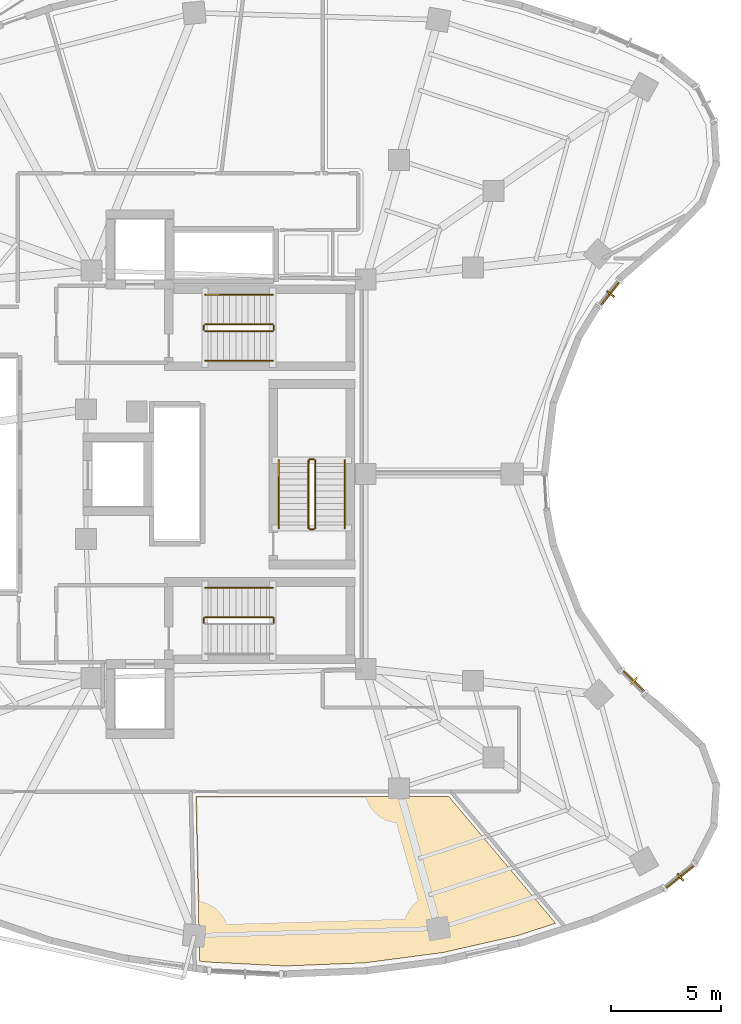
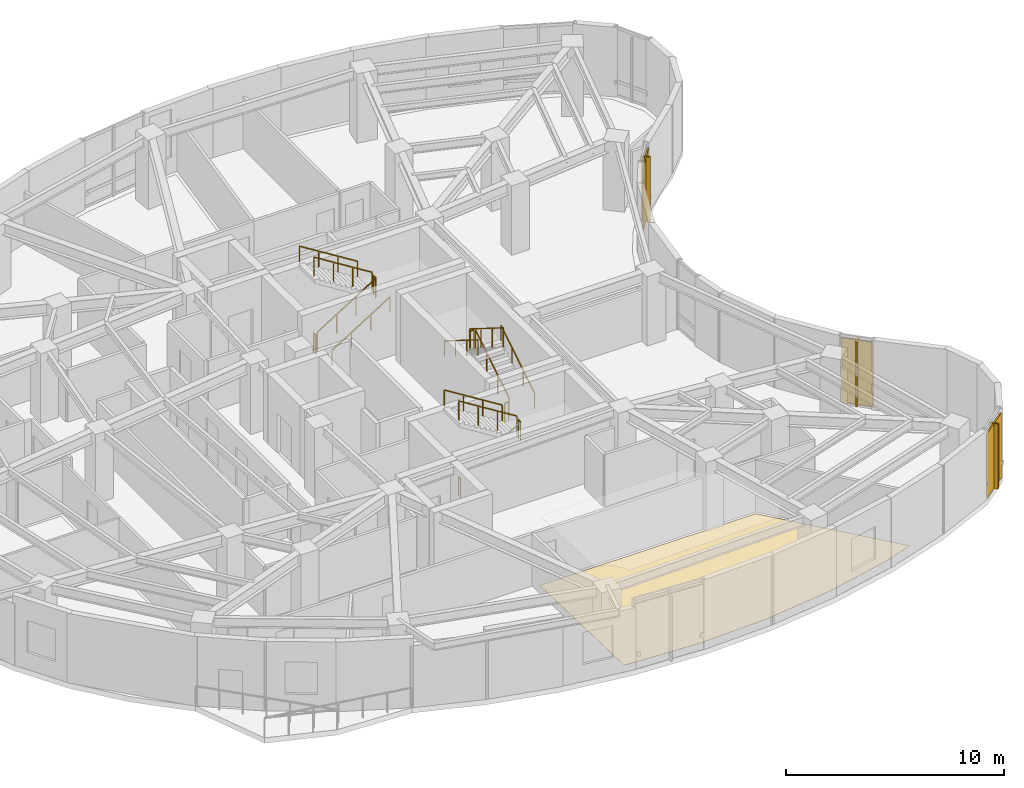
# One storey, part 14 of 15: 16 railings, 6 shading devices, 1 covering.
"""IFC4 building model written with IfcOpenShell, lengths in metres."""

from ifc_helpers import new_model, si_unit, direction, frame, origin, origin_2d, place, context, subcontext, project, spatial, polyline, rectangle, outline, extrude, material, layer, layer_set, type_object, element, save


model = new_model("IFC4")

# Units and contexts
model_context = context("Model", 3, precision=1e-05, world=origin(), true_north=direction((0.0, 1.0)))
body_context = subcontext(model_context, "Body", "Model", "MODEL_VIEW")
ifc_project = project(units=[si_unit("LENGTHUNIT", "METRE"), si_unit("AREAUNIT", "SQUARE_METRE"), si_unit("VOLUMEUNIT", "CUBIC_METRE"), si_unit("PLANEANGLEUNIT", "RADIAN"), si_unit("MASSUNIT", "GRAM", prefix="KILO")], contexts=[model_context])

# Site, building, storey
site_placement = place(None, origin())
site = spatial("IfcSite", under=ifc_project, at=site_placement, CompositionType="ELEMENT")
building_placement = place(site_placement, origin())
building = spatial("IfcBuilding", under=site, at=building_placement, Name="Korentha Bioscience Tower", CompositionType="ELEMENT")
storey_placement = place(building_placement, frame((0.0, 0.0, 222.60009765625)))
storey = spatial("IfcBuildingStorey", under=building, at=storey_placement, Name="L51", CompositionType="ELEMENT", Elevation=222.60009765625)

# Railings
ifc_material_1 = material(Name="Stainless Steel 304", Category="steel")
railing_type_1 = type_object("IfcRailingType", Name="Brushed Stainless Stair Handrail 900", PredefinedType="HANDRAIL", material=ifc_material_1)
railing_1_placement = place(storey_placement, frame((30.25, 32.14990234375, 0.1748046875)))
element("IfcRailing", 1, at=railing_1_placement, inside=storey, type_object=railing_type_1, Name="L51 ST-1 stair handrail 1", PredefinedType="HANDRAIL", context=body_context, shape_type="SweptSolid", body=[
    extrude(rectangle(XDim=0.048095703125, YDim=0.048095703125, at=origin_2d()), frame((0.0, 0.0, 0.8759765625), z_axis=(0.847998304005, 0.0, 0.529998940003), x_axis=(0.0, 1.0, 0.0)), (0.0, 0.0, 1.0), 3.632080078125),
    extrude(rectangle(XDim=0.0419921875, YDim=0.0419921875, at=origin_2d()), origin(), (0.0, 0.0, 1.0), 0.851806640625),
    extrude(rectangle(XDim=0.0419921875, YDim=0.0419921875, at=origin_2d()), frame((1.026611328125, 0.0, 0.6416015625)), (0.0, 0.0, 1.0), 0.851806640625),
    extrude(rectangle(XDim=0.0419921875, YDim=0.0419921875, at=origin_2d()), frame((2.053466796875, 0.0, 1.283447265625)), (0.0, 0.0, 1.0), 0.851806640625),
    extrude(rectangle(XDim=0.0419921875, YDim=0.0419921875, at=origin_2d()), frame((3.080078125, 0.0, 1.925048828125)), (0.0, 0.0, 1.0), 0.851806640625),
])
for number, where, name in (
    (2, (33.330078125, 35.14990234375, 2.27490234375), "L51 ST-1 stair handrail 2"),
    (3, (33.330078125, 21.85009765625, 2.27490234375), "L51 ST-2 stair handrail 2"),
):
    element("IfcRailing", number, at=place(storey_placement, frame(where)), inside=storey, type_object=railing_type_1, Name=name, PredefinedType="HANDRAIL", context=body_context, shape_type="SweptSolid", body=[
        extrude(rectangle(XDim=0.048095703125, YDim=0.048095703125, at=origin_2d()), frame((0.0, 0.0, 0.8759765625), z_axis=(-0.847998304005, 0.0, 0.529998940003), x_axis=(0.0, -1.0, 0.0)), (0.0, 0.0, 1.0), 3.632080078125),
        extrude(rectangle(XDim=0.0419921875, YDim=0.0419921875, at=origin_2d()), origin(), (0.0, 0.0, 1.0), 0.851806640625),
        extrude(rectangle(XDim=0.0419921875, YDim=0.0419921875, at=origin_2d()), frame((-1.026611328125, 0.0, 0.6416015625)), (0.0, 0.0, 1.0), 0.851806640625),
        extrude(rectangle(XDim=0.0419921875, YDim=0.0419921875, at=origin_2d()), frame((-2.053466796875, 0.0, 1.283447265625)), (0.0, 0.0, 1.0), 0.851806640625),
        extrude(rectangle(XDim=0.0419921875, YDim=0.0419921875, at=origin_2d()), frame((-3.080078125, 0.0, 1.925048828125)), (0.0, 0.0, 1.0), 0.851806640625),
    ])
railing_2_placement = place(storey_placement, frame((36.60009765625, 24.550048828125, 0.1748046875)))
element("IfcRailing", 4, at=railing_2_placement, inside=storey, type_object=railing_type_1, Name="L51 ST-3 stair handrail 1", PredefinedType="HANDRAIL", context=body_context, shape_type="SweptSolid", body=[
    extrude(rectangle(XDim=0.048095703125, YDim=0.048095703125, at=origin_2d()), frame((0.0, 0.0, 0.8759765625), z_axis=(0.0, 0.847979421464, 0.530029150871), x_axis=(-1.0, 0.0, 0.0)), (0.0, 0.0, 1.0), 3.632080078125),
    extrude(rectangle(XDim=0.0419921875, YDim=0.0419921875, at=origin_2d()), origin(), (0.0, 0.0, 1.0), 0.851806640625),
    extrude(rectangle(XDim=0.0419921875, YDim=0.0419921875, at=origin_2d()), frame((0.0, 1.026611328125, 0.6416015625)), (0.0, 0.0, 1.0), 0.851806640625),
    extrude(rectangle(XDim=0.0419921875, YDim=0.0419921875, at=origin_2d()), frame((0.0, 2.05322265625, 1.283447265625)), (0.0, 0.0, 1.0), 0.851806640625),
    extrude(rectangle(XDim=0.0419921875, YDim=0.0419921875, at=origin_2d()), frame((0.0, 3.079833984375, 1.925048828125)), (0.0, 0.0, 1.0), 0.851806640625),
])
railing_3_placement = place(storey_placement, frame((33.60009765625, 27.6298828125, 2.27490234375)))
element("IfcRailing", 5, at=railing_3_placement, inside=storey, type_object=railing_type_1, Name="L51 ST-3 stair handrail 2", PredefinedType="HANDRAIL", context=body_context, shape_type="SweptSolid", body=[
    extrude(rectangle(XDim=0.048095703125, YDim=0.048095703125, at=origin_2d()), frame((0.0, 0.0, 0.8759765625), z_axis=(0.0, -0.847979421464, 0.530029150871), x_axis=(1.0, 0.0, 0.0)), (0.0, 0.0, 1.0), 3.632080078125),
    extrude(rectangle(XDim=0.0419921875, YDim=0.0419921875, at=origin_2d()), origin(), (0.0, 0.0, 1.0), 0.851806640625),
    extrude(rectangle(XDim=0.0419921875, YDim=0.0419921875, at=origin_2d()), frame((0.0, -1.026611328125, 0.6416015625)), (0.0, 0.0, 1.0), 0.851806640625),
    extrude(rectangle(XDim=0.0419921875, YDim=0.0419921875, at=origin_2d()), frame((0.0, -2.05322265625, 1.283447265625)), (0.0, 0.0, 1.0), 0.851806640625),
    extrude(rectangle(XDim=0.0419921875, YDim=0.0419921875, at=origin_2d()), frame((0.0, -3.079833984375, 1.925048828125)), (0.0, 0.0, 1.0), 0.851806640625),
])
ifc_material_2 = material(Name="Painted Steel S275", Category="steel")
railing_type_2 = type_object("IfcRailingType", Name="Painted Steel Stair Well Guardrail 1100", PredefinedType="GUARDRAIL", material=ifc_material_2)
railing_4_placement = place(storey_placement, frame((30.25, 33.5, 0.1748046875)))
element("IfcRailing", 6, at=railing_4_placement, inside=storey, type_object=railing_type_2, Name="L51 ST-1 stair guard 1", PredefinedType="GUARDRAIL", context=body_context, shape_type="SweptSolid", body=[
    extrude(rectangle(XDim=0.048095703125, YDim=0.048095703125, at=origin_2d()), frame((0.0, 0.0, 1.076171875), z_axis=(0.847998304005, 0.0, 0.529998940003), x_axis=(0.0, 1.0, 0.0)), (0.0, 0.0, 1.0), 3.632080078125),
    extrude(rectangle(XDim=0.0419921875, YDim=0.0419921875, at=origin_2d()), origin(), (0.0, 0.0, 1.0), 1.052001953125),
    extrude(rectangle(XDim=0.0419921875, YDim=0.0419921875, at=origin_2d()), frame((1.026611328125, 0.0, 0.6416015625)), (0.0, 0.0, 1.0), 1.052001953125),
    extrude(rectangle(XDim=0.0419921875, YDim=0.0419921875, at=origin_2d()), frame((2.053466796875, 0.0, 1.283447265625)), (0.0, 0.0, 1.0), 1.052001953125),
    extrude(rectangle(XDim=0.0419921875, YDim=0.0419921875, at=origin_2d()), frame((3.080078125, 0.0, 1.925048828125)), (0.0, 0.0, 1.0), 1.052001953125),
])
railing_5_placement = place(storey_placement, frame((33.3798828125, 33.550048828125, 2.099853515625)))
element("IfcRailing", 7, at=railing_5_placement, inside=storey, type_object=railing_type_2, Name="L51 ST-1 stair guard 2", PredefinedType="GUARDRAIL", context=body_context, shape_type="SweptSolid", body=[
    extrude(rectangle(XDim=0.048095703125, YDim=0.048095703125, at=origin_2d()), frame((0.0, 0.0, 1.076171875), z_axis=(0.0, 1.0, 0.0), x_axis=(-1.0, 0.0, 0.0)), (0.0, 0.0, 1.0), 0.199951171875),
    extrude(rectangle(XDim=0.0419921875, YDim=0.0419921875, at=origin_2d()), origin(), (0.0, 0.0, 1.0), 1.052001953125),
    extrude(rectangle(XDim=0.0419921875, YDim=0.0419921875, at=origin_2d()), frame((0.0, 0.199951171875, 0.0)), (0.0, 0.0, 1.0), 1.052001953125),
])
railing_6_placement = place(storey_placement, frame((33.330078125, 33.800048828125, 2.27490234375)))
element("IfcRailing", 8, at=railing_6_placement, inside=storey, type_object=railing_type_2, Name="L51 ST-1 stair guard 3", PredefinedType="GUARDRAIL", context=body_context, shape_type="SweptSolid", body=[
    extrude(rectangle(XDim=0.048095703125, YDim=0.048095703125, at=origin_2d()), frame((0.0, 0.0, 1.076171875), z_axis=(-0.847998304005, 0.0, 0.529998940003), x_axis=(0.0, -1.0, 0.0)), (0.0, 0.0, 1.0), 3.632080078125),
    extrude(rectangle(XDim=0.0419921875, YDim=0.0419921875, at=origin_2d()), origin(), (0.0, 0.0, 1.0), 1.052001953125),
    extrude(rectangle(XDim=0.0419921875, YDim=0.0419921875, at=origin_2d()), frame((-1.026611328125, 0.0, 0.6416015625)), (0.0, 0.0, 1.0), 1.052001953125),
    extrude(rectangle(XDim=0.0419921875, YDim=0.0419921875, at=origin_2d()), frame((-2.053466796875, 0.0, 1.283447265625)), (0.0, 0.0, 1.0), 1.052001953125),
    extrude(rectangle(XDim=0.0419921875, YDim=0.0419921875, at=origin_2d()), frame((-3.080078125, 0.0, 1.925048828125)), (0.0, 0.0, 1.0), 1.052001953125),
])
for number, where, name in (
    (9, (30.199951171875, 33.550048828125, 0.0), "L51 ST-1 stair guard 4"),
    (10, (33.3798828125, 20.25, 2.099853515625), "L51 ST-2 stair guard 2"),
):
    element("IfcRailing", number, at=place(storey_placement, frame(where)), inside=storey, type_object=railing_type_2, Name=name, PredefinedType="GUARDRAIL", context=body_context, shape_type="SweptSolid", body=[
        extrude(rectangle(XDim=0.048095703125, YDim=0.048095703125, at=origin_2d()), frame((0.0, 0.0, 1.076171875), z_axis=(0.0, 1.0, 0.0), x_axis=(-1.0, 0.0, 0.0)), (0.0, 0.0, 1.0), 0.199951171875),
        extrude(rectangle(XDim=0.0419921875, YDim=0.0419921875, at=origin_2d()), origin(), (0.0, 0.0, 1.0), 1.052001953125),
        extrude(rectangle(XDim=0.0419921875, YDim=0.0419921875, at=origin_2d()), frame((0.0, 0.199951171875, 0.0)), (0.0, 0.0, 1.0), 1.052001953125),
    ])
railing_7_placement = place(storey_placement, frame((33.330078125, 20.5, 2.27490234375)))
element("IfcRailing", 11, at=railing_7_placement, inside=storey, type_object=railing_type_2, Name="L51 ST-2 stair guard 3", PredefinedType="GUARDRAIL", context=body_context, shape_type="SweptSolid", body=[
    extrude(rectangle(XDim=0.048095703125, YDim=0.048095703125, at=origin_2d()), frame((0.0, 0.0, 1.076171875), z_axis=(-0.847998304005, 0.0, 0.529998940003), x_axis=(0.0, -1.0, 0.0)), (0.0, 0.0, 1.0), 3.632080078125),
    extrude(rectangle(XDim=0.0419921875, YDim=0.0419921875, at=origin_2d()), origin(), (0.0, 0.0, 1.0), 1.052001953125),
    extrude(rectangle(XDim=0.0419921875, YDim=0.0419921875, at=origin_2d()), frame((-1.026611328125, 0.0, 0.6416015625)), (0.0, 0.0, 1.0), 1.052001953125),
    extrude(rectangle(XDim=0.0419921875, YDim=0.0419921875, at=origin_2d()), frame((-2.053466796875, 0.0, 1.283447265625)), (0.0, 0.0, 1.0), 1.052001953125),
    extrude(rectangle(XDim=0.0419921875, YDim=0.0419921875, at=origin_2d()), frame((-3.080078125, 0.0, 1.925048828125)), (0.0, 0.0, 1.0), 1.052001953125),
])
railing_8_placement = place(storey_placement, frame((30.199951171875, 20.25, 0.0)))
element("IfcRailing", 12, at=railing_8_placement, inside=storey, type_object=railing_type_2, Name="L51 ST-2 stair guard 4", PredefinedType="GUARDRAIL", context=body_context, shape_type="SweptSolid", body=[
    extrude(rectangle(XDim=0.048095703125, YDim=0.048095703125, at=origin_2d()), frame((0.0, 0.0, 1.076171875), z_axis=(0.0, 1.0, 0.0), x_axis=(-1.0, 0.0, 0.0)), (0.0, 0.0, 1.0), 0.199951171875),
    extrude(rectangle(XDim=0.0419921875, YDim=0.0419921875, at=origin_2d()), origin(), (0.0, 0.0, 1.0), 1.052001953125),
    extrude(rectangle(XDim=0.0419921875, YDim=0.0419921875, at=origin_2d()), frame((0.0, 0.199951171875, 0.0)), (0.0, 0.0, 1.0), 1.052001953125),
])
railing_9_placement = place(storey_placement, frame((35.25, 24.550048828125, 0.1748046875)))
element("IfcRailing", 13, at=railing_9_placement, inside=storey, type_object=railing_type_2, Name="L51 ST-3 stair guard 1", PredefinedType="GUARDRAIL", context=body_context, shape_type="SweptSolid", body=[
    extrude(rectangle(XDim=0.048095703125, YDim=0.048095703125, at=origin_2d()), frame((0.0, 0.0, 1.076171875), z_axis=(0.0, 0.847979421464, 0.530029150871), x_axis=(-1.0, 0.0, 0.0)), (0.0, 0.0, 1.0), 3.632080078125),
    extrude(rectangle(XDim=0.0419921875, YDim=0.0419921875, at=origin_2d()), origin(), (0.0, 0.0, 1.0), 1.052001953125),
    extrude(rectangle(XDim=0.0419921875, YDim=0.0419921875, at=origin_2d()), frame((0.0, 1.026611328125, 0.6416015625)), (0.0, 0.0, 1.0), 1.052001953125),
    extrude(rectangle(XDim=0.0419921875, YDim=0.0419921875, at=origin_2d()), frame((0.0, 2.05322265625, 1.283447265625)), (0.0, 0.0, 1.0), 1.052001953125),
    extrude(rectangle(XDim=0.0419921875, YDim=0.0419921875, at=origin_2d()), frame((0.0, 3.079833984375, 1.925048828125)), (0.0, 0.0, 1.0), 1.052001953125),
])
railing_10_placement = place(storey_placement, frame((35.199951171875, 27.679931640625, 2.099853515625)))
element("IfcRailing", 14, at=railing_10_placement, inside=storey, type_object=railing_type_2, Name="L51 ST-3 stair guard 2", PredefinedType="GUARDRAIL", context=body_context, shape_type="SweptSolid", body=[
    extrude(rectangle(XDim=0.048095703125, YDim=0.048095703125, at=origin_2d()), frame((0.0, 0.0, 1.076171875), z_axis=(-1.0, 0.0, 0.0), x_axis=(0.0, -1.0, 0.0)), (0.0, 0.0, 1.0), 0.199951171875),
    extrude(rectangle(XDim=0.0419921875, YDim=0.0419921875, at=origin_2d()), origin(), (0.0, 0.0, 1.0), 1.052001953125),
    extrude(rectangle(XDim=0.0419921875, YDim=0.0419921875, at=origin_2d()), frame((-0.199951171875, 0.0, 0.0)), (0.0, 0.0, 1.0), 1.052001953125),
])
railing_11_placement = place(storey_placement, frame((34.949951171875, 27.6298828125, 2.27490234375)))
element("IfcRailing", 15, at=railing_11_placement, inside=storey, type_object=railing_type_2, Name="L51 ST-3 stair guard 3", PredefinedType="GUARDRAIL", context=body_context, shape_type="SweptSolid", body=[
    extrude(rectangle(XDim=0.048095703125, YDim=0.048095703125, at=origin_2d()), frame((0.0, 0.0, 1.076171875), z_axis=(0.0, -0.847979421464, 0.530029150871), x_axis=(1.0, 0.0, 0.0)), (0.0, 0.0, 1.0), 3.632080078125),
    extrude(rectangle(XDim=0.0419921875, YDim=0.0419921875, at=origin_2d()), origin(), (0.0, 0.0, 1.0), 1.052001953125),
    extrude(rectangle(XDim=0.0419921875, YDim=0.0419921875, at=origin_2d()), frame((0.0, -1.026611328125, 0.6416015625)), (0.0, 0.0, 1.0), 1.052001953125),
    extrude(rectangle(XDim=0.0419921875, YDim=0.0419921875, at=origin_2d()), frame((0.0, -2.05322265625, 1.283447265625)), (0.0, 0.0, 1.0), 1.052001953125),
    extrude(rectangle(XDim=0.0419921875, YDim=0.0419921875, at=origin_2d()), frame((0.0, -3.079833984375, 1.925048828125)), (0.0, 0.0, 1.0), 1.052001953125),
])
railing_12_placement = place(storey_placement, frame((35.199951171875, 24.5, 0.0)))
element("IfcRailing", 16, at=railing_12_placement, inside=storey, type_object=railing_type_2, Name="L51 ST-3 stair guard 4", PredefinedType="GUARDRAIL", context=body_context, shape_type="SweptSolid", body=[
    extrude(rectangle(XDim=0.048095703125, YDim=0.048095703125, at=origin_2d()), frame((0.0, 0.0, 1.076171875), z_axis=(-1.0, 0.0, 0.0), x_axis=(0.0, -1.0, 0.0)), (0.0, 0.0, 1.0), 0.199951171875),
    extrude(rectangle(XDim=0.0419921875, YDim=0.0419921875, at=origin_2d()), origin(), (0.0, 0.0, 1.0), 1.052001953125),
    extrude(rectangle(XDim=0.0419921875, YDim=0.0419921875, at=origin_2d()), frame((-0.199951171875, 0.0, 0.0)), (0.0, 0.0, 1.0), 1.052001953125),
])

# Shading devices
ifc_material_3 = material(Name="Perforated Stone-Ceramic Composite", Category="masonry")
ifc_layer_1 = layer(ifc_material_3, 0.06494140625, Name="Perforated Stone-Ceramic Composite")
ifc_layer_set_1 = layer_set([ifc_layer_1], Name="Perforated Stone-Ceramic Composite (CS-01)")
shading_device_type_1 = type_object("IfcShadingDeviceType", Name="Perforated Stone-Ceramic Solar Screen Panel 65", PredefinedType="USERDEFINED", material=ifc_layer_set_1)
shading_device_placement = place(storey_placement, frame((51.822998046875, 8.712890625, 0.0), z_axis=(0.0, 0.0, 1.0), x_axis=(0.779197616162, 0.626778330008, 0.0)))
element("IfcShadingDevice", 17, at=shading_device_placement, inside=storey, type_object=shading_device_type_1, Name="CW-L51-37 Perforated Stone-Ceramic Solar Screen", ObjectType="SCREEN", PredefinedType="USERDEFINED", context=body_context, shape_type="SweptSolid", body=[
    extrude(rectangle(XDim=1.83154296875, YDim=0.06494140625, at=origin_2d()), origin(), (0.0, 0.0, 1.0), 3.64990234375),
])
for number, where, z_axis, x_axis, name in (
    (18, (49.7216796875, 17.6083984375, 0.0), (0.0, 0.0, 1.0), (-0.713258270268, 0.700901305388, 0.0), "CW-L51-43 Perforated Stone-Ceramic Solar Screen"),
    (19, (48.64599609375, 35.19677734375, 0.0), (0.0, 0.0, 1.0), (0.622511989066, 0.782610262819, 0.0), "CW-L51-55 Perforated Stone-Ceramic Solar Screen"),
):
    element("IfcShadingDevice", number, at=place(storey_placement, frame(where, z_axis=z_axis, x_axis=x_axis)), inside=storey, type_object=shading_device_type_1, Name=name, ObjectType="SCREEN", PredefinedType="USERDEFINED", context=body_context, shape_type="SweptSolid", body=[
        extrude(rectangle(XDim=1.50341796875, YDim=0.06494140625, at=origin_2d()), origin(), (0.0, 0.0, 1.0), 3.64990234375),
    ])

# Covering
ifc_material_4 = material(Name="Chemical-Resistant Epoxy Resin", Category="polymer")
ifc_layer_2 = layer(ifc_material_4, 0.011962890625, Name="Chemical-Resistant Epoxy Resin")
ifc_layer_set_2 = layer_set([ifc_layer_2], Name="Chemical-Resistant Epoxy Resin (FL-EPX)")
covering_type = type_object("IfcCoveringType", Name="Seamless Epoxy Laboratory Flooring 12", PredefinedType="FLOORING", material=ifc_layer_set_2)
covering_placement = place(storey_placement, origin())
element("IfcCovering", 20, at=covering_placement, inside=storey, type_object=covering_type, Name="L51 Sterile Media Preparation Kitchen 05 Floor Finish", PredefinedType="FLOORING", context=body_context, shape_type="SweptSolid", body=[
    extrude(outline(polyline([(29.83642578125, 12.3701171875), (41.315673828125, 12.3701171875), (46.168701171875, 6.60986328125), (44.487060546875, 6.055419921875), (41.0400390625, 5.273681640625), (37.491455078125, 4.808349609375), (33.893310546875, 4.66650390625), (30.299072265625, 4.85009765625), (30.00439453125, 4.892333984375), (29.83642578125, 12.3701171875)])), origin(), (0.0, 0.0, 1.0), 0.011962890625),
])

# Shading devices
ifc_material_5 = material(Name="Honed Travertine Limestone", Category="masonry")
ifc_layer_3 = layer(ifc_material_5, 0.080078125, Name="Honed Travertine Limestone")
ifc_layer_set_3 = layer_set([ifc_layer_3], Name="Honed Travertine Limestone (CS-02)")
shading_device_type_2 = type_object("IfcShadingDeviceType", Name="Vertical Honed Limestone Sunshade Fin 80x420", PredefinedType="USERDEFINED", material=ifc_layer_set_3)
for number, where, z_axis, x_axis, name in (
    (21, (51.83544921875, 8.697265625, 0.0), (0.0, 0.0, 1.0), (0.779197616162, 0.626778330008, 0.0), "CW-L51-37 Limestone Sunshade Fin"),
    (22, (49.735595703125, 17.622802734375, 0.0), (0.0, 0.0, 1.0), (-0.713258270268, 0.700901305388, 0.0), "CW-L51-43 Limestone Sunshade Fin"),
    (23, (48.66162109375, 35.184326171875, 0.0), (0.0, 0.0, 1.0), (0.622511989066, 0.782610262819, 0.0), "CW-L51-55 Limestone Sunshade Fin"),
):
    element("IfcShadingDevice", number, at=place(storey_placement, frame(where, z_axis=z_axis, x_axis=x_axis)), inside=storey, type_object=shading_device_type_2, Name=name, ObjectType="SCREEN", PredefinedType="USERDEFINED", context=body_context, shape_type="SweptSolid", body=[
        extrude(rectangle(XDim=0.080078125, YDim=0.419921875, at=origin_2d()), origin(), (0.0, 0.0, 1.0), 3.64990234375),
    ])

save(model, "model.ifc")
